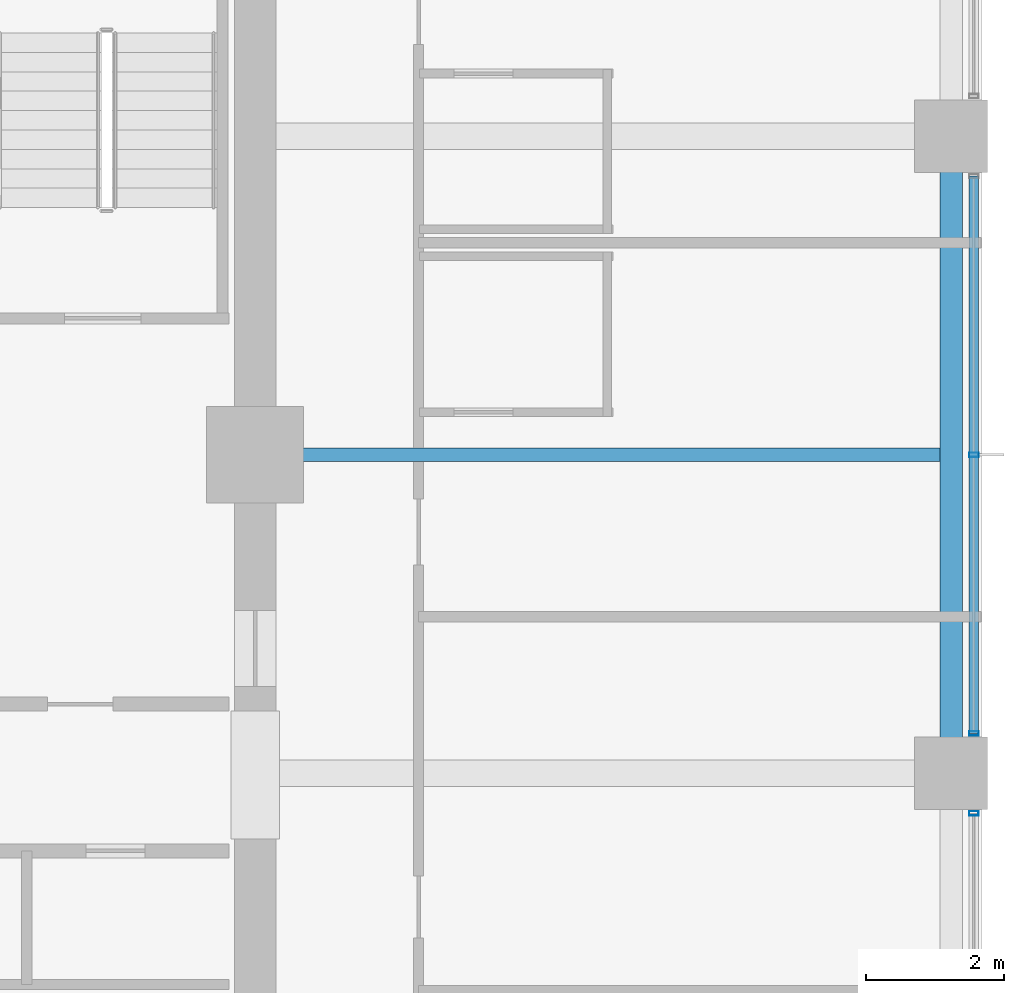
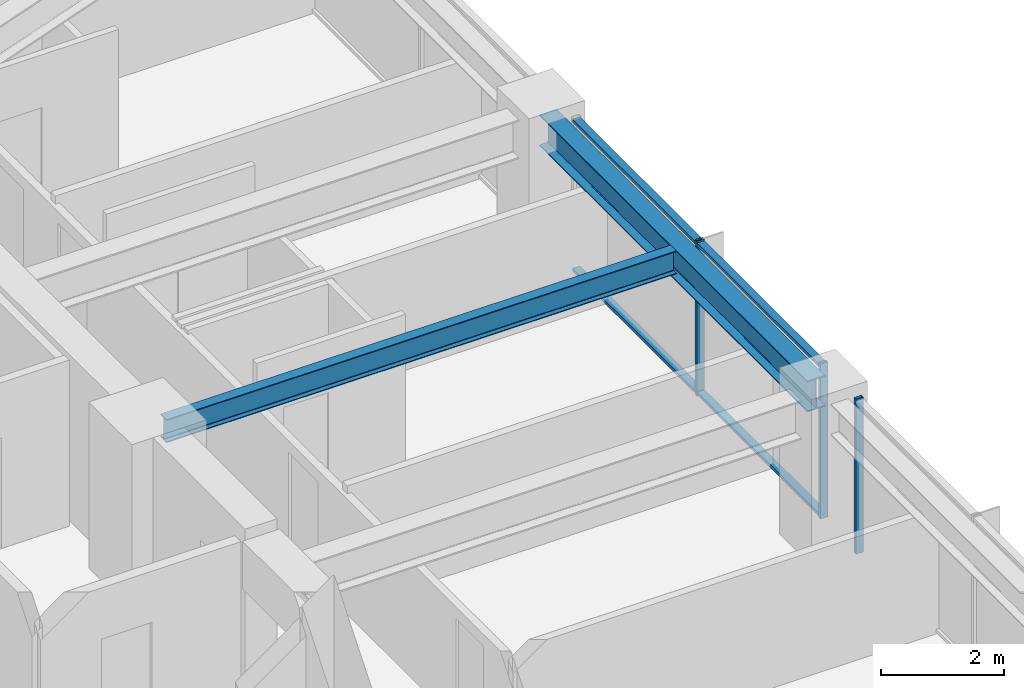
# One storey, part 15 of 38: 5 members, 2 beams, 2 elements without a shape of their own.
"""IFC4 building model written with IfcOpenShell, lengths in metres."""

import ifcopenshell
import ifcopenshell.guid

model = None  # the IFC model being written
_history = None  # IfcOwnerHistory: only IFC2X3 demands one
_inside = {}  # id of a spatial element -> (the spatial element, [elements in it])
_under = {}  # id of a project, library or spatial element -> (it, [spatial elements below it])
_declared = {}  # id of a project -> (the project, [libraries it declares])
_typed = {}  # id of a type object -> (the type object, [elements of that type])
_made_of = {}  # id of a material, layer set ... -> (it, [elements and type objects made of it])


def new_model(schema):
    """Start an empty IFC model of exactly this schema.

    Asked for "IFC4X3", IfcOpenShell would pick the latest addendum, in which some entities
    have other attributes; the version numbers below select the first issue.
    IFC2X3 requires an IfcOwnerHistory on every rooted entity: one is made here for all.
    """
    global model, _history
    if schema == "IFC4X3":
        model = ifcopenshell.file(schema_version=(4, 3, 0, 0))
    else:
        model = ifcopenshell.file(schema=schema)
    _inside.clear()
    _under.clear()
    _declared.clear()
    _typed.clear()
    _made_of.clear()
    _history = None
    if model.schema == "IFC2X3":
        org = make("IfcOrganization", Name="unknown")
        user = make(
            "IfcPersonAndOrganization",
            ThePerson=make("IfcPerson", FamilyName="unknown"),
            TheOrganization=org,
        )
        app = make(
            "IfcApplication",
            ApplicationDeveloper=org,
            Version="unknown",
            ApplicationFullName="unknown",
            ApplicationIdentifier="unknown",
        )
        _history = make(
            "IfcOwnerHistory",
            OwningUser=user,
            OwningApplication=app,
            ChangeAction="ADDED",
            CreationDate=0,
        )
    return model


def make(cls, **values):
    """One entity of the class cls with the attributes given. An attribute that is None is left unset."""
    return model.create_entity(
        cls, **{name: value for name, value in values.items() if value is not None}
    )


def rooted(cls, **values):
    """An entity with a GlobalId (a new one), such as an element, a storey or a relation."""
    return make(cls, GlobalId=ifcopenshell.guid.new(), OwnerHistory=_history, **values)


def si_unit(unit_type, name, prefix=None):
    """IfcSIUnit, for example si_unit("LENGTHUNIT", "METRE", prefix="MILLI")."""
    return make("IfcSIUnit", UnitType=unit_type, Prefix=prefix, Name=name)


def assignment(units):
    """IfcUnitAssignment: the units of a project."""
    return None if units is None else make("IfcUnitAssignment", Units=units)


def point(xyz):
    """IfcCartesianPoint."""
    return None if xyz is None else make("IfcCartesianPoint", Coordinates=xyz)


def direction(xyz):
    """IfcDirection."""
    return None if xyz is None else make("IfcDirection", DirectionRatios=xyz)


def frame(location, z_axis=None, x_axis=None):
    """IfcAxis2Placement3D, a coordinate frame: its origin and axes. An axis left out is left unset."""
    return make(
        "IfcAxis2Placement3D",
        Location=point(location),
        Axis=direction(z_axis),
        RefDirection=direction(x_axis),
    )


def frame_2d(location, x_axis=None):
    """IfcAxis2Placement2D, a coordinate frame in the plane: its origin and x axis."""
    return make(
        "IfcAxis2Placement2D", Location=point(location), RefDirection=direction(x_axis)
    )


def origin():
    """The frame at (0, 0, 0) with its axes left unset."""
    return frame((0.0, 0.0, 0.0))


def origin_2d():
    """The frame at (0, 0) in the plane with its x axis left unset."""
    return frame_2d((0.0, 0.0))


def place(relative_to, where):
    """IfcLocalPlacement: puts the frame where relative to a parent placement (None: the world)."""
    return make(
        "IfcLocalPlacement", PlacementRelTo=relative_to, RelativePlacement=where
    )


def context(
    kind, dimensions, precision=None, world=None, true_north=None, identifier=None
):
    """IfcGeometricRepresentationContext, for example the 3D "Model" context."""
    return make(
        "IfcGeometricRepresentationContext",
        ContextIdentifier=identifier,
        ContextType=kind,
        CoordinateSpaceDimension=dimensions,
        Precision=precision,
        WorldCoordinateSystem=world,
        TrueNorth=true_north,
    )


def subcontext(parent, identifier, kind, view, scale=None):
    """IfcGeometricRepresentationSubContext, for example "Body" below "Model"."""
    return make(
        "IfcGeometricRepresentationSubContext",
        ContextIdentifier=identifier,
        ContextType=kind,
        ParentContext=parent,
        TargetScale=scale,
        TargetView=view,
    )


def project(units=None, contexts=None):
    """IfcProject with its units and contexts."""
    return rooted(
        "IfcProject",
        Name="project",
        RepresentationContexts=contexts,
        UnitsInContext=assignment(units),
    )


def spatial(cls, under=None, at=None, **own):
    """A site, building, storey or space (cls), placed at a placement, below another one or the project."""
    s = rooted(cls, ObjectPlacement=at, **own)
    if under is not None:
        _under.setdefault(under.id(), (under, []))[1].append(s)
    return s


def profile(cls, at=None, kind="AREA", **sizes):
    """A parametric profile (cls). Its sizes go by their IFC names, for example OverallWidth=200.0."""
    return make(cls, ProfileType=kind, Position=at, **sizes)


def hollow_rectangle(**sizes):
    """IfcRectangleHollowProfileDef."""
    return profile("IfcRectangleHollowProfileDef", **sizes)


def i_section(**sizes):
    """IfcIShapeProfileDef."""
    return profile("IfcIShapeProfileDef", **sizes)


def extrude(swept, where, along, depth):
    """IfcExtrudedAreaSolid: the profile swept, set in the frame where, extruded along a direction by depth."""
    return make(
        "IfcExtrudedAreaSolid",
        SweptArea=swept,
        Position=where,
        ExtrudedDirection=direction(along),
        Depth=depth,
    )


def shape(context_of_items, identifier, shape_type, items):
    """IfcShapeRepresentation: the items that make up one representation, for example the "Body"."""
    return make(
        "IfcShapeRepresentation",
        ContextOfItems=context_of_items,
        RepresentationIdentifier=identifier,
        RepresentationType=shape_type,
        Items=items,
    )


def material(Name=None, Category=None):
    """IfcMaterial."""
    return make("IfcMaterial", Name=Name, Category=Category)


def material_profile(
    of_material, cross_section, Name=None, Category=None, Priority=None
):
    """IfcMaterialProfile: a cross section and its material."""
    return make(
        "IfcMaterialProfile",
        Name=Name,
        Material=of_material,
        Profile=cross_section,
        Priority=Priority,
        Category=Category,
    )


def profile_set(profiles, Name=None, composite=None):
    """IfcMaterialProfileSet."""
    return make(
        "IfcMaterialProfileSet",
        Name=Name,
        MaterialProfiles=profiles,
        CompositeProfile=composite,
    )


def made_of(thing, what):
    """Note that an element or type object is made of a material, layer set ...; save() writes the relation."""
    if what is not None:
        _made_of.setdefault(what.id(), (what, []))[1].append(thing)
    return thing


def type_object(cls, material=None, **own):
    """A type object (cls), such as IfcWallType, which elements share."""
    return made_of(rooted(cls, **own), material)


def element(
    cls,
    number,
    at=None,
    inside=None,
    cuts=None,
    type_object=None,
    material=None,
    context=None,
    identifier="Body",
    shape_type=None,
    held_by="IfcProductDefinitionShape",
    body=None,
    shapes=None,
    **own,
):
    """One element of the class cls, such as IfcWall. Its Tag is "e" and its number.

    at: its placement. inside: the storey or other place that contains it. cuts: it is an
    opening in that element (IfcRelVoidsElement). A single representation is given by context,
    identifier, shape_type and body (its items); several are given by shapes. held_by: the class
    of the entity that holds the representations. save() writes the other relations.
    """
    e = rooted(cls, Tag="e%d" % number, ObjectPlacement=at, **own)
    if body is not None:
        shapes = [shape(context, identifier, shape_type, body)]
    if shapes is not None:
        e.Representation = make(held_by, Representations=shapes)
    if inside is not None:
        _inside.setdefault(inside.id(), (inside, []))[1].append(e)
    if cuts is not None:
        rooted(
            "IfcRelVoidsElement", RelatingBuildingElement=cuts, RelatedOpeningElement=e
        )
    if type_object is not None:
        _typed.setdefault(type_object.id(), (type_object, []))[1].append(e)
    return made_of(e, material)


def aggregate(whole, parts):
    """IfcRelAggregates: a whole, such as a stair, and the parts it consists of."""
    return rooted("IfcRelAggregates", RelatingObject=whole, RelatedObjects=parts)


def save(model, path):
    """Write the relations noted so far, then the file.

    IfcRelAggregates (storeys below a building ...), IfcRelContainedInSpatialStructure (elements
    in a storey), IfcRelDefinesByType, IfcRelAssociatesMaterial and IfcRelDeclares: one each for
    every whole, place, type object, material and project.
    """
    for whole, parts in _under.values():
        aggregate(whole, parts)
    for where, things in _inside.values():
        rooted(
            "IfcRelContainedInSpatialStructure",
            RelatedElements=things,
            RelatingStructure=where,
        )
    for kind, things in _typed.values():
        rooted("IfcRelDefinesByType", RelatedObjects=things, RelatingType=kind)
    for what, things in _made_of.values():
        rooted("IfcRelAssociatesMaterial", RelatedObjects=things, RelatingMaterial=what)
    for by, libraries in _declared.values():
        rooted("IfcRelDeclares", RelatingContext=by, RelatedDefinitions=libraries)
    model.write(path)


model = new_model("IFC4")

# Units and contexts
model_context = context("Model", 3, precision=1e-05, world=origin(), true_north=direction((0.0, 1.0)))
body_context = subcontext(model_context, "Body", "Model", "MODEL_VIEW")
ifc_project = project(units=[si_unit("LENGTHUNIT", "METRE"), si_unit("AREAUNIT", "SQUARE_METRE"), si_unit("VOLUMEUNIT", "CUBIC_METRE"), si_unit("PLANEANGLEUNIT", "RADIAN"), si_unit("MASSUNIT", "GRAM", prefix="KILO")], contexts=[model_context])

# Site, building, storey
site_placement = place(None, origin())
site = spatial("IfcSite", under=ifc_project, at=site_placement, CompositionType="ELEMENT")
building_placement = place(site_placement, origin())
building = spatial("IfcBuilding", under=site, at=building_placement, Name="Kolvaren Belvedere", CompositionType="ELEMENT")
storey_placement = place(building_placement, frame((0.0, 0.0, 98.60009765625)))
storey = spatial("IfcBuildingStorey", under=building, at=storey_placement, Name="L28", CompositionType="ELEMENT", Elevation=98.60009765625)

# Beams
ifc_material_1 = material(Name="Structural steel ASTM A992 Grade 50", Category="steel")
ifc_material_profile_1 = material_profile(ifc_material_1, i_section(OverallWidth=0.19091796875, OverallDepth=0.4599609375, WebThickness=0.010009765625, FlangeThickness=0.01611328125, FilletRadius=0.014892578125, at=origin_2d()), Name="W18X55")
ifc_profile_set_1 = profile_set([ifc_material_profile_1], Name="Structural steel ASTM A992 Grade 50")
beam_type_1 = type_object("IfcBeamType", Name="BM-JOIST-W18X55", PredefinedType="BEAM", material=ifc_profile_set_1)
beam_1_placement = place(storey_placement, frame((10.199951171875, 0.0, 2.849853515625), z_axis=(1.0, 0.0, 0.0), x_axis=(0.0, 1.0, 0.0)))
element("IfcBeam", 1, at=beam_1_placement, inside=storey, type_object=beam_type_1, Name="L28 East Centre Floor Beam", PredefinedType="BEAM", context=body_context, shape_type="SweptSolid", body=[
    extrude(i_section(OverallWidth=0.19091796875, OverallDepth=0.4599609375, WebThickness=0.010009765625, FlangeThickness=0.01611328125, FilletRadius=0.014892578125, at=origin_2d()), origin(), (0.0, 0.0, 1.0), 9.587646484375),
])
ifc_material_2 = material(Name="Structural steel ASTM A992 Grade 50", Category="steel")
ifc_material_profile_2 = material_profile(ifc_material_2, i_section(OverallWidth=0.324951171875, OverallDepth=0.615966796875, WebThickness=0.013916015625, FlangeThickness=0.021484375, FilletRadius=0.02001953125, at=origin_2d()), Name="W24X117")
ifc_profile_set_2 = profile_set([ifc_material_profile_2], Name="Structural steel ASTM A992 Grade 50")
beam_type_2 = type_object("IfcBeamType", Name="BM-SPAN-W24X117", PredefinedType="SPANDREL", material=ifc_profile_set_2)
beam_2_placement = place(storey_placement, frame((19.949951171875, -4.36376953125, 2.77197265625), z_axis=(0.0, 1.0, 0.0), x_axis=(-1.0, 0.0, 0.0)))
element("IfcBeam", 2, at=beam_2_placement, inside=storey, type_object=beam_type_2, Name="L28 Perimeter Spandrel E2-E3", PredefinedType="SPANDREL", context=body_context, shape_type="SweptSolid", body=[
    extrude(i_section(OverallWidth=0.324951171875, OverallDepth=0.615966796875, WebThickness=0.013916015625, FlangeThickness=0.021484375, FilletRadius=0.02001953125, at=origin_2d()), origin(), (0.0, 0.0, 1.0), 8.7275390625),
])

# Curtain wall, members
ifc_material_3 = material(Name="Anodised pale-metal aluminium AA 6063-T6", Category="aluminium")
curtain_wall_type = type_object("IfcCurtainWallType", Name="CW-Z2-MID", PredefinedType="NOTDEFINED", material=ifc_material_3)
curtain_wall_1_placement = place(storey_placement, origin())
curtain_wall_1 = element("IfcCurtainWall", 3, at=curtain_wall_1_placement, inside=storey, type_object=curtain_wall_type, Name="L28 Unitised Curtain Wall FCW-L28-E-B2", PredefinedType="NOTDEFINED")
ifc_material_4 = material(Name="Anodised pale-metal aluminium AA 6063-T6", Category="aluminium")
ifc_material_profile_3 = material_profile(ifc_material_4, hollow_rectangle(XDim=0.06494140625, YDim=0.139892578125, WallThickness=0.00390625, at=origin_2d()), Name="ALU-MUL-140X65")
ifc_profile_set_3 = profile_set([ifc_material_profile_3], Name="Anodised pale-metal aluminium AA 6063-T6")
member_type_1 = type_object("IfcMemberType", Name="CW-MUL-140", PredefinedType="MULLION", material=ifc_profile_set_3)
member_1_placement = place(storey_placement, frame((20.280029296875, 0.0, 0.0), z_axis=(0.0, 0.0, 1.0), x_axis=(0.0, 1.0, 0.0)))
member_1 = element("IfcMember", 4, at=member_1_placement, type_object=member_type_1, Name="FCW-L28-E-B2 Unitised Mullion 2", PredefinedType="MULLION", context=body_context, shape_type="SweptSolid", body=[
    extrude(hollow_rectangle(XDim=0.06494140625, YDim=0.139892578125, WallThickness=0.00390625, at=origin_2d()), origin(), (0.0, 0.0, 1.0), 3.079833984375),
])
member_2_placement = place(storey_placement, frame((20.280029296875, -4.0224609375, 0.0), z_axis=(0.0, 0.0, 1.0), x_axis=(0.0, 1.0, 0.0)))
member_2 = element("IfcMember", 5, at=member_2_placement, type_object=member_type_1, Name="FCW-L28-E-B2 Unitised Mullion 3", PredefinedType="MULLION", context=body_context, shape_type="SweptSolid", body=[
    extrude(hollow_rectangle(XDim=0.06494140625, YDim=0.139892578125, WallThickness=0.00390625, at=origin_2d()), origin(), (0.0, 0.0, 1.0), 3.079833984375),
])

# Curtain wall, member
curtain_wall_2_placement = place(storey_placement, origin())
curtain_wall_2 = element("IfcCurtainWall", 6, at=curtain_wall_2_placement, inside=storey, type_object=curtain_wall_type, Name="L28 Unitised Curtain Wall FCW-L28-E-B3", PredefinedType="NOTDEFINED")
member_3_placement = place(storey_placement, frame((20.280029296875, -5.177490234375, 0.0), z_axis=(0.0, 0.0, 1.0), x_axis=(0.0, 1.0, 0.0)))
member_3 = element("IfcMember", 7, at=member_3_placement, type_object=member_type_1, Name="FCW-L28-E-B3 Unitised Mullion 1", PredefinedType="MULLION", context=body_context, shape_type="SweptSolid", body=[
    extrude(hollow_rectangle(XDim=0.06494140625, YDim=0.139892578125, WallThickness=0.00390625, at=origin_2d()), origin(), (0.0, 0.0, 1.0), 3.079833984375),
])
aggregate(curtain_wall_2, [member_3])

# Member
ifc_material_5 = material(Name="Anodised pale-metal aluminium AA 6063-T6", Category="aluminium")
ifc_material_profile_4 = material_profile(ifc_material_5, hollow_rectangle(XDim=0.06005859375, YDim=0.139892578125, WallThickness=0.00390625, at=origin_2d()), Name="ALU-TRN-140X60")
ifc_profile_set_4 = profile_set([ifc_material_profile_4], Name="Anodised pale-metal aluminium AA 6063-T6")
member_type_2 = type_object("IfcMemberType", Name="CW-TRN-140", PredefinedType="USERDEFINED", material=ifc_profile_set_4)
member_4_placement = place(storey_placement, frame((20.280029296875, 4.0224609375, 0.059814453125), z_axis=(0.0, -1.0, 0.0), x_axis=(0.0, 0.0, 1.0)))
member_4 = element("IfcMember", 8, at=member_4_placement, type_object=member_type_2, Name="FCW-L28-E-B2 Sill Transom", ObjectType="TRANSOM", PredefinedType="USERDEFINED", context=body_context, shape_type="SweptSolid", body=[
    extrude(hollow_rectangle(XDim=0.06005859375, YDim=0.139892578125, WallThickness=0.00390625, at=origin_2d()), origin(), (0.0, 0.0, 1.0), 8.044921875),
])

member_5_placement = place(storey_placement, frame((20.280029296875, 4.0224609375, 3.02001953125), z_axis=(0.0, -1.0, 0.0), x_axis=(0.0, 0.0, 1.0)))
member_5 = element("IfcMember", 9, at=member_5_placement, type_object=member_type_2, Name="FCW-L28-E-B2 Head Transom", ObjectType="TRANSOM", PredefinedType="USERDEFINED", context=body_context, shape_type="SweptSolid", body=[
    extrude(hollow_rectangle(XDim=0.06005859375, YDim=0.139892578125, WallThickness=0.00390625, at=origin_2d()), origin(), (0.0, 0.0, 1.0), 8.044921875),
])

aggregate(curtain_wall_1, [member_1, member_2, member_4, member_5])

save(model, "model.ifc")
